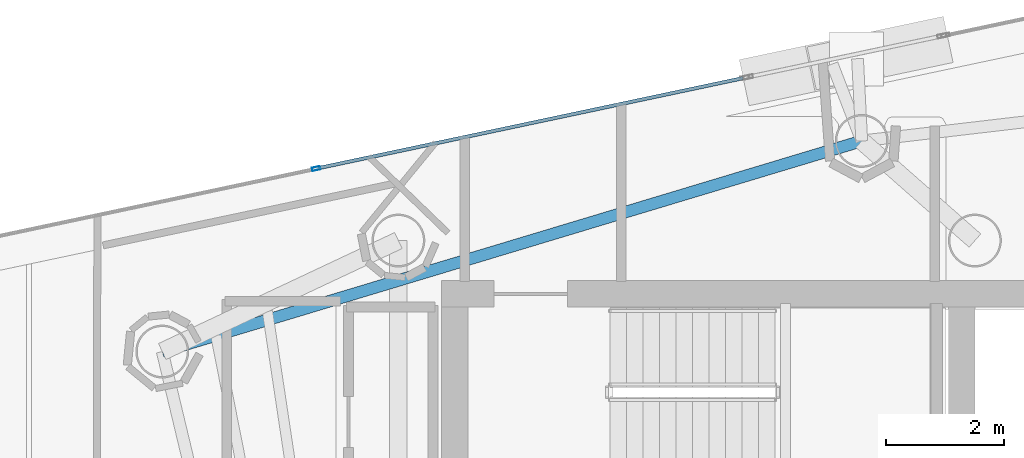
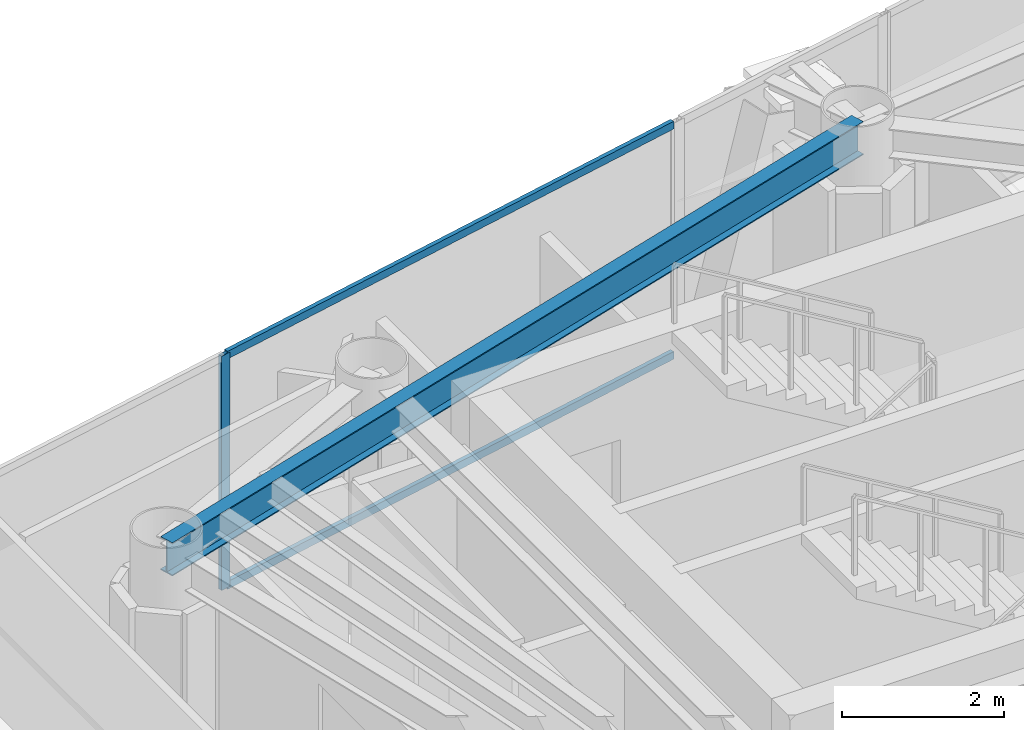
# One storey, part 9 of 21: 3 members, 1 beam, 1 element without a shape of its own.
"""IFC4 building model written with IfcOpenShell, lengths in metres."""

from ifc_helpers import new_model, si_unit, direction, frame, origin, origin_2d, place, context, subcontext, project, spatial, hollow_rectangle, i_section, extrude, material, layer, layer_set, material_profile, profile_set, type_object, element, aggregate, save


model = new_model("IFC4")

# Units and contexts
model_context = context("Model", 3, precision=1e-05, world=origin(), true_north=direction((0.0, 1.0)))
body_context = subcontext(model_context, "Body", "Model", "MODEL_VIEW")
ifc_project = project(units=[si_unit("LENGTHUNIT", "METRE"), si_unit("AREAUNIT", "SQUARE_METRE"), si_unit("VOLUMEUNIT", "CUBIC_METRE"), si_unit("PLANEANGLEUNIT", "RADIAN"), si_unit("MASSUNIT", "GRAM", prefix="KILO")], contexts=[model_context])

# Site, building, storey
site_placement = place(None, origin())
site = spatial("IfcSite", under=ifc_project, at=site_placement, CompositionType="ELEMENT")
building_placement = place(site_placement, origin())
building = spatial("IfcBuilding", under=site, at=building_placement, Name="Qianvela Tower", CompositionType="ELEMENT")
storey_placement = place(building_placement, frame((0.0, 0.0, 302.800048828125)))
storey = spatial("IfcBuildingStorey", under=building, at=storey_placement, Name="L78", CompositionType="ELEMENT", Elevation=302.800048828125)

# Beam
ifc_material_1 = material(Name="Steel Q355B", Category="steel")
ifc_material_profile_1 = material_profile(ifc_material_1, i_section(OverallWidth=0.199951171875, OverallDepth=0.5, WebThickness=0.010009765625, FlangeThickness=0.01611328125, at=origin_2d()), Name="HN500x200x10x16")
ifc_profile_set_1 = profile_set([ifc_material_profile_1], Name="Steel Q355B")
beam_type = type_object("IfcBeamType", Name="BM-HN500-GIRD", PredefinedType="BEAM", material=ifc_profile_set_1)
beam_placement = place(storey_placement, frame((36.47607421875, 35.242919921875, 3.26806640625), z_axis=(-0.957535726794, -0.288314640478, 0.0), x_axis=(0.288314640478, -0.957535726794, 0.0)))
element("IfcBeam", 1, at=beam_placement, inside=storey, type_object=beam_type, Name="L78 Perimeter Ring Spandrel Girder 2", PredefinedType="BEAM", context=body_context, shape_type="SweptSolid", body=[
    extrude(i_section(OverallWidth=0.199951171875, OverallDepth=0.5, WebThickness=0.010009765625, FlangeThickness=0.01611328125, at=origin_2d()), origin(), (0.0, 0.0, 1.0), 12.41650390625),
])

# Curtain wall, members
ifc_material_2 = material(Name="Anodised Architectural Aluminium and Low-E Glass", Category="aluminium")
ifc_layer = layer(ifc_material_2, 0.14990234375)
ifc_layer_set = layer_set([ifc_layer], Name="Anodised Architectural Aluminium and Low-E Glass")
curtain_wall_type = type_object("IfcCurtainWallType", Name="CW-COLIV-Z78", PredefinedType="USERDEFINED", material=ifc_layer_set)
curtain_wall_placement = place(storey_placement, origin())
curtain_wall = element("IfcCurtainWall", 2, at=curtain_wall_placement, inside=storey, type_object=curtain_wall_type, Name="L78 CW-COLIV-Z78 Curtain Wall 02C", ObjectType="CURTAIN_WALL_SYSTEM", PredefinedType="USERDEFINED")
ifc_material_3 = material(Name="Anodised Architectural Aluminium 6063-T6", Category="aluminium")
ifc_material_profile_2 = material_profile(ifc_material_3, hollow_rectangle(XDim=0.06005859375, YDim=0.139892578125, WallThickness=0.00439453125, at=origin_2d()), Name="ALU-MULL-60x140")
ifc_profile_set_2 = profile_set([ifc_material_profile_2], Name="Anodised Architectural Aluminium 6063-T6")
member_type_1 = type_object("IfcMemberType", Name="CW-COLIV-Z78-MULL", PredefinedType="MULLION", material=ifc_profile_set_2)
member_1_placement = place(storey_placement, frame((27.203125, 34.77294921875, 0.0), z_axis=(0.0, 0.0, 1.0), x_axis=(0.207348083802, -0.978267229413, 0.0)))
member_1 = element("IfcMember", 3, at=member_1_placement, type_object=member_type_1, Name="CW-6 mullion 2", PredefinedType="MULLION", context=body_context, shape_type="SweptSolid", body=[
    extrude(hollow_rectangle(XDim=0.06005859375, YDim=0.139892578125, WallThickness=0.00439453125, at=origin_2d()), origin(), (0.0, 0.0, 1.0), 3.52001953125),
])
ifc_material_4 = material(Name="Anodised Architectural Aluminium 6063-T6", Category="aluminium")
ifc_material_profile_3 = material_profile(ifc_material_4, hollow_rectangle(XDim=0.06005859375, YDim=0.114990234375, WallThickness=0.00390625, at=origin_2d()), Name="ALU-TRAN-60x115")
ifc_profile_set_3 = profile_set([ifc_material_profile_3], Name="Anodised Architectural Aluminium 6063-T6")
member_type_2 = type_object("IfcMemberType", Name="CW-COLIV-Z78-TRAN", PredefinedType="USERDEFINED", material=ifc_profile_set_3)
member_2_placement = place(storey_placement, frame((34.4580078125, 36.310791015625, 0.030029296875), z_axis=(-0.978265832632, -0.207354673698, 0.0), x_axis=(0.207354673698, -0.978265832632, 0.0)))
member_2 = element("IfcMember", 4, at=member_2_placement, type_object=member_type_2, Name="CW-6 transom 1.1", ObjectType="TRANSOM", PredefinedType="USERDEFINED", context=body_context, shape_type="SweptSolid", body=[
    extrude(hollow_rectangle(XDim=0.06005859375, YDim=0.114990234375, WallThickness=0.00390625, at=origin_2d()), origin(), (0.0, 0.0, 1.0), 7.385986328125),
])
member_3_placement = place(storey_placement, frame((34.4580078125, 36.310791015625, 3.489990234375), z_axis=(-0.978265832632, -0.207354673698, 0.0), x_axis=(0.207354673698, -0.978265832632, 0.0)))
member_3 = element("IfcMember", 5, at=member_3_placement, type_object=member_type_2, Name="CW-6 transom 1.2", ObjectType="TRANSOM", PredefinedType="USERDEFINED", context=body_context, shape_type="SweptSolid", body=[
    extrude(hollow_rectangle(XDim=0.06005859375, YDim=0.114990234375, WallThickness=0.00390625, at=origin_2d()), origin(), (0.0, 0.0, 1.0), 7.385986328125),
])
aggregate(curtain_wall, [member_1, member_2, member_3])

save(model, "model.ifc")
